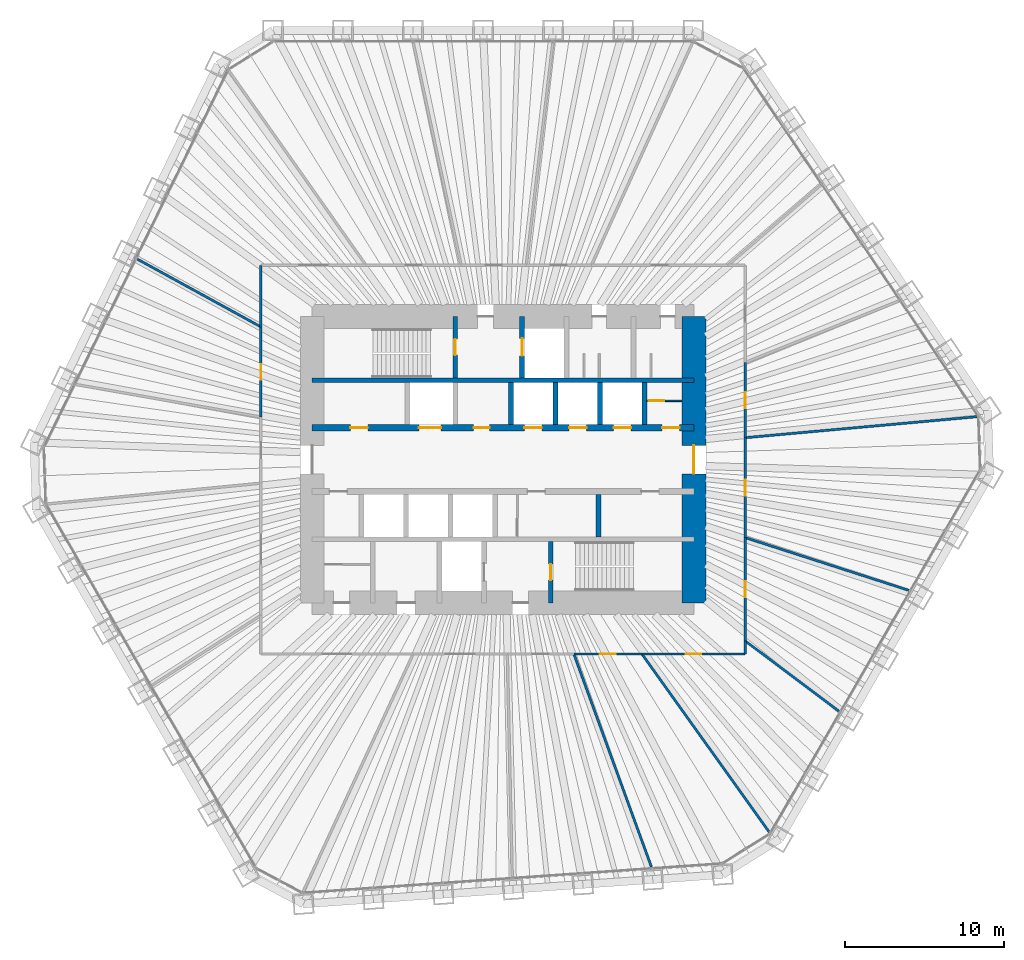
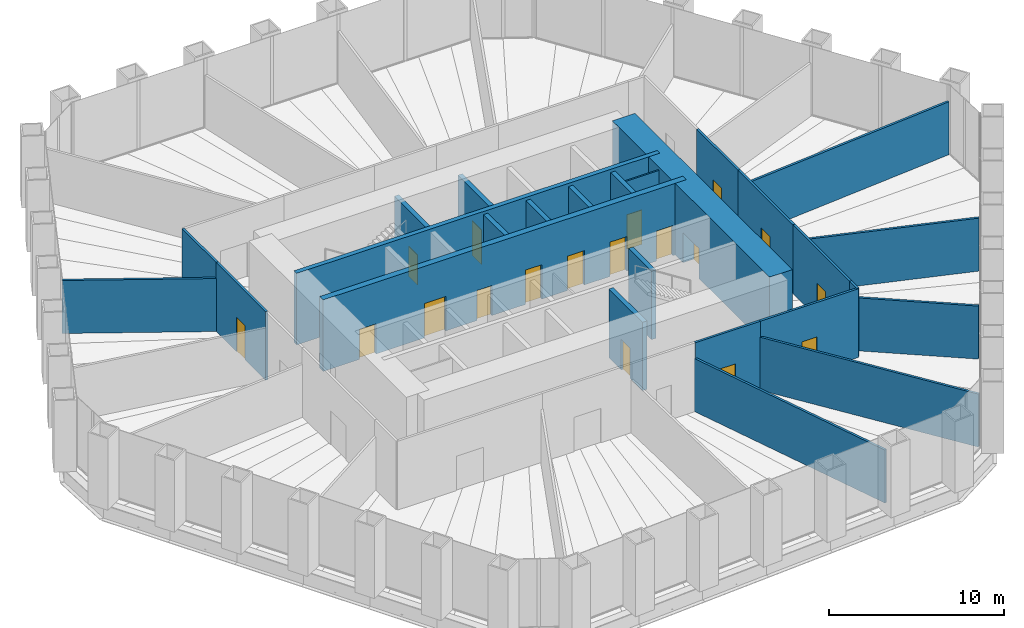
# One storey, part 11 of 13: 26 walls, 18 doors, 18 openings.
"""IFC4 building model written with IfcOpenShell, lengths in metres."""

from ifc_helpers import new_model, si_unit, direction, frame, frame_2d, origin, place, context, subcontext, project, spatial, rectangle, extrude, material, layer, layer_set, type_object, element, fill, save


model = new_model("IFC4")

# Units and contexts
model_context = context("Model", 3, precision=1e-05, world=origin(), true_north=direction((0.0, 1.0)))
body_context = subcontext(model_context, "Body", "Model", "MODEL_VIEW")
ifc_project = project(units=[si_unit("LENGTHUNIT", "METRE"), si_unit("AREAUNIT", "SQUARE_METRE"), si_unit("VOLUMEUNIT", "CUBIC_METRE"), si_unit("PLANEANGLEUNIT", "RADIAN"), si_unit("MASSUNIT", "GRAM", prefix="KILO")], contexts=[model_context])

# Site, building, storey
site_placement = place(None, origin())
site = spatial("IfcSite", under=ifc_project, at=site_placement, CompositionType="ELEMENT")
building_placement = place(site_placement, origin())
building = spatial("IfcBuilding", under=site, at=building_placement, Name="Qingtian Harvest Tower", CompositionType="ELEMENT")
storey_placement = place(building_placement, frame((0.0, 0.0, 62.0)))
storey = spatial("IfcBuildingStorey", under=building, at=storey_placement, Name="L12", CompositionType="ELEMENT", Elevation=62.0)

# Wall
ifc_material_1 = material(Name="Concrete fc' 70 MPa", Category="concrete")
ifc_layer_1 = layer(ifc_material_1, 0.300048828125)
ifc_layer_set_1 = layer_set([ifc_layer_1], Name="Core inner wall RC5 300")
wall_type_1 = type_object("IfcWallType", Name="Core inner wall RC5 300", PredefinedType="SHEAR", material=ifc_layer_set_1)
wall_1_placement = place(storey_placement, frame((-12.0, 5.0, 0.0), z_axis=(0.0, 0.0, 1.0), x_axis=(1.0, 0.0, 0.0)))
element("IfcWall", 1, at=wall_1_placement, inside=storey, type_object=wall_type_1, Name="Core wall IN5 L12", PredefinedType="SHEAR", context=body_context, shape_type="SweptSolid", body=[
    extrude(rectangle(XDim=24.0, YDim=0.300048828125, at=frame_2d((12.0, 0.0))), origin(), (0.0, 0.0, 1.0), 5.0),
])

# Wall, openings, doors
ifc_material_2 = material(Name="Concrete fc' 70 MPa", Category="concrete")
ifc_layer_2 = layer(ifc_material_2, 0.39990234375)
ifc_layer_set_2 = layer_set([ifc_layer_2], Name="Core inner web RC6 400")
wall_type_2 = type_object("IfcWallType", Name="Core inner web RC6 400", PredefinedType="SHEAR", material=ifc_layer_set_2)
wall_2_placement = place(storey_placement, frame((-12.0, 2.0, 0.0), z_axis=(0.0, 0.0, 1.0), x_axis=(1.0, 0.0, 0.0)))
wall_2 = element("IfcWall", 2, at=wall_2_placement, inside=storey, type_object=wall_type_2, Name="Core wall IN2 L12", PredefinedType="SHEAR", context=body_context, shape_type="SweptSolid", body=[
    extrude(rectangle(XDim=24.0, YDim=0.39990234375, at=frame_2d((12.0, 0.0))), origin(), (0.0, 0.0, 1.0), 5.0),
])
opening_1_placement = place(wall_2_placement, frame((2.39990234375, 0.0, 0.0)))
opening_1 = element("IfcOpeningElement", 3, at=opening_1_placement, cuts=wall_2, Name="Opening FD4", PredefinedType="OPENING", context=body_context, shape_type="SweptSolid", body=[
    extrude(rectangle(XDim=1.10009765625, YDim=2.10009765625, at=frame_2d((0.550048828125, 1.050048828125))), frame((0.0, 0.2099609375, 0.0), z_axis=(0.0, -1.0, 0.0), x_axis=(1.0, 0.0, 0.0)), (0.0, 0.0, 1.0), 0.419921875),
])
opening_2_placement = place(wall_2_placement, frame((22.0, 0.0, 0.0)))
opening_2 = element("IfcOpeningElement", 4, at=opening_2_placement, cuts=wall_2, Name="Opening FD4", PredefinedType="OPENING", context=body_context, shape_type="SweptSolid", body=[
    extrude(rectangle(XDim=1.10009765625, YDim=2.10009765625, at=frame_2d((0.550048828125, 1.050048828125))), frame((0.0, 0.2099609375, 0.0), z_axis=(0.0, -1.0, 0.0), x_axis=(1.0, 0.0, 0.0)), (0.0, 0.0, 1.0), 0.419921875),
])
opening_3_placement = place(wall_2_placement, frame((10.14990234375, 0.0, 0.0)))
opening_3 = element("IfcOpeningElement", 5, at=opening_3_placement, cuts=wall_2, Name="Opening FD1", PredefinedType="OPENING", context=body_context, shape_type="SweptSolid", body=[
    extrude(rectangle(XDim=1.0, YDim=2.10009765625, at=frame_2d((0.5, 1.050048828125))), frame((0.0, 0.2099609375, 0.0), z_axis=(0.0, -1.0, 0.0), x_axis=(1.0, 0.0, 0.0)), (0.0, 0.0, 1.0), 0.419921875),
])
opening_4_placement = place(wall_2_placement, frame((6.699951171875, 0.0, 0.0)))
opening_4 = element("IfcOpeningElement", 6, at=opening_4_placement, cuts=wall_2, Name="Opening LD2", PredefinedType="OPENING", context=body_context, shape_type="SweptSolid", body=[
    extrude(rectangle(XDim=1.39990234375, YDim=2.39990234375, at=frame_2d((0.699951171875, 1.199951171875))), frame((0.0, 0.2099609375, 0.0), z_axis=(0.0, -1.0, 0.0), x_axis=(1.0, 0.0, 0.0)), (0.0, 0.0, 1.0), 0.419921875),
])
opening_5_placement = place(wall_2_placement, frame((13.35009765625, 0.0, 0.0)))
opening_5 = element("IfcOpeningElement", 7, at=opening_5_placement, cuts=wall_2, Name="Opening LD1", PredefinedType="OPENING", context=body_context, shape_type="SweptSolid", body=[
    extrude(rectangle(XDim=1.10009765625, YDim=2.39990234375, at=frame_2d((0.550048828125, 1.199951171875))), frame((0.0, 0.2099609375, 0.0), z_axis=(0.0, -1.0, 0.0), x_axis=(1.0, 0.0, 0.0)), (0.0, 0.0, 1.0), 0.419921875),
])
opening_6_placement = place(wall_2_placement, frame((16.14990234375, 0.0, 0.0)))
opening_6 = element("IfcOpeningElement", 8, at=opening_6_placement, cuts=wall_2, Name="Opening LD1", PredefinedType="OPENING", context=body_context, shape_type="SweptSolid", body=[
    extrude(rectangle(XDim=1.10009765625, YDim=2.39990234375, at=frame_2d((0.550048828125, 1.199951171875))), frame((0.0, 0.2099609375, 0.0), z_axis=(0.0, -1.0, 0.0), x_axis=(1.0, 0.0, 0.0)), (0.0, 0.0, 1.0), 0.419921875),
])
opening_7_placement = place(wall_2_placement, frame((18.949951171875, 0.0, 0.0)))
opening_7 = element("IfcOpeningElement", 9, at=opening_7_placement, cuts=wall_2, Name="Opening LD1", PredefinedType="OPENING", context=body_context, shape_type="SweptSolid", body=[
    extrude(rectangle(XDim=1.10009765625, YDim=2.39990234375, at=frame_2d((0.550048828125, 1.199951171875))), frame((0.0, 0.2099609375, 0.0), z_axis=(0.0, -1.0, 0.0), x_axis=(1.0, 0.0, 0.0)), (0.0, 0.0, 1.0), 0.419921875),
])
ifc_material_3 = material(Name="Steel-faced door leaf", Category="steel")
door_type_1 = type_object("IfcDoorType", Name="Fire door FD1 single 1 HR", OperationType="SINGLE_SWING_LEFT", PredefinedType="DOOR", material=ifc_material_3)
door_1_placement = place(opening_3_placement, origin())
door_1 = element("IfcDoor", 10, at=door_1_placement, inside=storey, type_object=door_type_1, Name="STA door L12", OperationType="SINGLE_SWING_RIGHT", OverallHeight=2.10009765625, OverallWidth=1.0, PredefinedType="DOOR", context=body_context, shape_type="SweptSolid", body=[
    extrude(rectangle(XDim=1.0, YDim=2.10009765625, at=frame_2d((0.5, 1.050048828125))), frame((0.0, 0.02490234375, 0.0), z_axis=(0.0, -1.0, 0.0), x_axis=(1.0, 0.0, 0.0)), (0.0, 0.0, 1.0), 0.050048828125),
])
fill(opening_3, door_1)
ifc_material_4 = material(Name="Steel-faced door leaf", Category="steel")
door_type_2 = type_object("IfcDoorType", Name="Fire door FD4 single 2 HR", OperationType="SINGLE_SWING_LEFT", PredefinedType="DOOR", material=ifc_material_4)
door_2_placement = place(opening_1_placement, origin())
door_2 = element("IfcDoor", 11, at=door_2_placement, inside=storey, type_object=door_type_2, Name="RA door L12", OperationType="SINGLE_SWING_LEFT", OverallHeight=2.10009765625, OverallWidth=1.10009765625, PredefinedType="DOOR", context=body_context, shape_type="SweptSolid", body=[
    extrude(rectangle(XDim=1.10009765625, YDim=2.10009765625, at=frame_2d((0.550048828125, 1.050048828125))), frame((0.0, 0.02490234375, 0.0), z_axis=(0.0, -1.0, 0.0), x_axis=(1.0, 0.0, 0.0)), (0.0, 0.0, 1.0), 0.050048828125),
])
fill(opening_1, door_2)
door_3_placement = place(opening_2_placement, origin())
door_3 = element("IfcDoor", 12, at=door_3_placement, inside=storey, type_object=door_type_2, Name="AHU door L12", OperationType="SINGLE_SWING_LEFT", OverallHeight=2.10009765625, OverallWidth=1.10009765625, PredefinedType="DOOR", context=body_context, shape_type="SweptSolid", body=[
    extrude(rectangle(XDim=1.10009765625, YDim=2.10009765625, at=frame_2d((0.550048828125, 1.050048828125))), frame((0.0, 0.02490234375, 0.0), z_axis=(0.0, -1.0, 0.0), x_axis=(1.0, 0.0, 0.0)), (0.0, 0.0, 1.0), 0.050048828125),
])
fill(opening_2, door_3)
ifc_material_5 = material(Name="Stainless steel lift landing door", Category="steel")
door_type_3 = type_object("IfcDoorType", Name="Goods lift landing door LD2 1 HR", OperationType="DOUBLE_DOOR_SLIDING", PredefinedType="DOOR", material=ifc_material_5)
door_4_placement = place(opening_4_placement, origin())
door_4 = element("IfcDoor", 13, at=door_4_placement, inside=storey, type_object=door_type_3, Name="GL1 landing door L12", OperationType="DOUBLE_DOOR_SLIDING", OverallHeight=2.39990234375, OverallWidth=1.39990234375, PredefinedType="DOOR", context=body_context, shape_type="SweptSolid", body=[
    extrude(rectangle(XDim=1.39990234375, YDim=2.39990234375, at=frame_2d((0.699951171875, 1.199951171875))), frame((0.0, 0.02490234375, 0.0), z_axis=(0.0, -1.0, 0.0), x_axis=(1.0, 0.0, 0.0)), (0.0, 0.0, 1.0), 0.050048828125),
])
fill(opening_4, door_4)
ifc_material_6 = material(Name="Stainless steel lift landing door", Category="steel")
door_type_4 = type_object("IfcDoorType", Name="Lift landing door LD1 1 HR", OperationType="DOUBLE_DOOR_SLIDING", PredefinedType="DOOR", material=ifc_material_6)
door_5_placement = place(opening_5_placement, origin())
door_5 = element("IfcDoor", 14, at=door_5_placement, inside=storey, type_object=door_type_4, Name="PLA1 landing door L12", OperationType="DOUBLE_DOOR_SLIDING", OverallHeight=2.39990234375, OverallWidth=1.10009765625, PredefinedType="DOOR", context=body_context, shape_type="SweptSolid", body=[
    extrude(rectangle(XDim=1.10009765625, YDim=2.39990234375, at=frame_2d((0.550048828125, 1.199951171875))), frame((0.0, 0.02490234375, 0.0), z_axis=(0.0, -1.0, 0.0), x_axis=(1.0, 0.0, 0.0)), (0.0, 0.0, 1.0), 0.050048828125),
])
fill(opening_5, door_5)
door_6_placement = place(opening_6_placement, origin())
door_6 = element("IfcDoor", 15, at=door_6_placement, inside=storey, type_object=door_type_4, Name="PLA2 landing door L12", OperationType="DOUBLE_DOOR_SLIDING", OverallHeight=2.39990234375, OverallWidth=1.10009765625, PredefinedType="DOOR", context=body_context, shape_type="SweptSolid", body=[
    extrude(rectangle(XDim=1.10009765625, YDim=2.39990234375, at=frame_2d((0.550048828125, 1.199951171875))), frame((0.0, 0.02490234375, 0.0), z_axis=(0.0, -1.0, 0.0), x_axis=(1.0, 0.0, 0.0)), (0.0, 0.0, 1.0), 0.050048828125),
])
fill(opening_6, door_6)
door_7_placement = place(opening_7_placement, origin())
door_7 = element("IfcDoor", 16, at=door_7_placement, inside=storey, type_object=door_type_4, Name="PLA3 landing door L12", OperationType="DOUBLE_DOOR_SLIDING", OverallHeight=2.39990234375, OverallWidth=1.10009765625, PredefinedType="DOOR", context=body_context, shape_type="SweptSolid", body=[
    extrude(rectangle(XDim=1.10009765625, YDim=2.39990234375, at=frame_2d((0.550048828125, 1.199951171875))), frame((0.0, 0.02490234375, 0.0), z_axis=(0.0, -1.0, 0.0), x_axis=(1.0, 0.0, 0.0)), (0.0, 0.0, 1.0), 0.050048828125),
])
fill(opening_7, door_7)

# Wall, opening, door
ifc_material_7 = material(Name="Precast concrete shaft panel", Category="concrete")
ifc_layer_3 = layer(ifc_material_7, 0.300048828125)
ifc_layer_set_3 = layer_set([ifc_layer_3], Name="Core shaft partition SW1 300")
wall_type_3 = type_object("IfcWallType", Name="Core shaft partition SW1 300", PredefinedType="PARTITIONING", material=ifc_layer_set_3)
wall_3_placement = place(storey_placement, frame((-3.0, 5.14990234375, 0.0), z_axis=(0.0, 0.0, 1.0), x_axis=(0.0, 1.0, 0.0)))
wall_3 = element("IfcWall", 17, at=wall_3_placement, inside=storey, type_object=wall_type_3, Name="Core shaft partition XN1 L12", PredefinedType="PARTITIONING", context=body_context, shape_type="SweptSolid", body=[
    extrude(rectangle(XDim=3.85009765625, YDim=0.300048828125, at=frame_2d((1.925048828125, 0.0))), origin(), (0.0, 0.0, 1.0), 4.780029296875),
])
opening_8_placement = place(wall_3_placement, frame((1.425048828125, 0.0, 0.0)))
opening_8 = element("IfcOpeningElement", 18, at=opening_8_placement, cuts=wall_3, Name="Opening FD1", PredefinedType="OPENING", context=body_context, shape_type="SweptSolid", body=[
    extrude(rectangle(XDim=1.0, YDim=2.10009765625, at=frame_2d((0.5, 1.050048828125))), frame((0.0, 0.159912109375, 0.0), z_axis=(0.0, -1.0, 0.0), x_axis=(1.0, 0.0, 0.0)), (0.0, 0.0, 1.0), 0.320068359375),
])
door_8_placement = place(opening_8_placement, origin())
door_8 = element("IfcDoor", 19, at=door_8_placement, inside=storey, type_object=door_type_1, Name="S1 door L12", OperationType="SINGLE_SWING_LEFT", OverallHeight=2.10009765625, OverallWidth=1.0, PredefinedType="DOOR", context=body_context, shape_type="SweptSolid", body=[
    extrude(rectangle(XDim=1.0, YDim=2.10009765625, at=frame_2d((0.5, 1.050048828125))), frame((0.0, 0.02490234375, 0.0), z_axis=(0.0, -1.0, 0.0), x_axis=(1.0, 0.0, 0.0)), (0.0, 0.0, 1.0), 0.050048828125),
])
fill(opening_8, door_8)

wall_4_placement = place(storey_placement, frame((1.199951171875, 5.14990234375, 0.0), z_axis=(0.0, 0.0, 1.0), x_axis=(0.0, 1.0, 0.0)))
wall_4 = element("IfcWall", 20, at=wall_4_placement, inside=storey, type_object=wall_type_3, Name="Core shaft partition XN2 L12", PredefinedType="PARTITIONING", context=body_context, shape_type="SweptSolid", body=[
    extrude(rectangle(XDim=3.85009765625, YDim=0.300048828125, at=frame_2d((1.925048828125, 0.0))), origin(), (0.0, 0.0, 1.0), 4.780029296875),
])
opening_9_placement = place(wall_4_placement, frame((1.375, 0.0, 0.0)))
opening_9 = element("IfcOpeningElement", 21, at=opening_9_placement, cuts=wall_4, Name="Opening LD1", PredefinedType="OPENING", context=body_context, shape_type="SweptSolid", body=[
    extrude(rectangle(XDim=1.10009765625, YDim=2.39990234375, at=frame_2d((0.550048828125, 1.199951171875))), frame((0.0, 0.159912109375, 0.0), z_axis=(0.0, -1.0, 0.0), x_axis=(1.0, 0.0, 0.0)), (0.0, 0.0, 1.0), 0.320068359375),
])
door_9_placement = place(opening_9_placement, origin())
door_9 = element("IfcDoor", 22, at=door_9_placement, inside=storey, type_object=door_type_4, Name="FL1 landing door L12", OperationType="DOUBLE_DOOR_SLIDING", OverallHeight=2.39990234375, OverallWidth=1.10009765625, PredefinedType="DOOR", context=body_context, shape_type="SweptSolid", body=[
    extrude(rectangle(XDim=1.10009765625, YDim=2.39990234375, at=frame_2d((0.550048828125, 1.199951171875))), frame((0.0, 0.02490234375, 0.0), z_axis=(0.0, -1.0, 0.0), x_axis=(1.0, 0.0, 0.0)), (0.0, 0.0, 1.0), 0.050048828125),
])
fill(opening_9, door_9)

# Walls
for number, where, z_axis, x_axis, name in (
    (23, (0.5, 2.199951171875, 0.0), (0.0, 0.0, 1.0), (0.0, 1.0, 0.0), "Core shaft partition XA3 L12"),
    (24, (3.300048828125, 2.199951171875, 0.0), (0.0, 0.0, 1.0), (0.0, 1.0, 0.0), "Core shaft partition XA4 L12"),
    (25, (6.10009765625, 2.199951171875, 0.0), (0.0, 0.0, 1.0), (0.0, 1.0, 0.0), "Core shaft partition XA5 L12"),
    (26, (8.89990234375, 2.199951171875, 0.0), (0.0, 0.0, 1.0), (0.0, 1.0, 0.0), "Core shaft partition XA6 L12"),
    (27, (6.0, -4.85009765625, 0.0), (0.0, 0.0, 1.0), (0.0, 1.0, 0.0), "Core shaft partition XB5 L12"),
):
    element("IfcWall", number, at=place(storey_placement, frame(where, z_axis=z_axis, x_axis=x_axis)), inside=storey, type_object=wall_type_3, Name=name, PredefinedType="PARTITIONING", context=body_context, shape_type="SweptSolid", body=[
        extrude(rectangle(XDim=2.650146484375, YDim=0.300048828125, at=frame_2d((1.3251953125, 0.0))), origin(), (0.0, 0.0, 1.0), 4.780029296875),
    ])

# Wall, opening, door
wall_5_placement = place(storey_placement, frame((3.0, -9.0, 0.0), z_axis=(0.0, 0.0, 1.0), x_axis=(0.0, 1.0, 0.0)))
wall_5 = element("IfcWall", 28, at=wall_5_placement, inside=storey, type_object=wall_type_3, Name="Core shaft partition XS4 L12", PredefinedType="PARTITIONING", context=body_context, shape_type="SweptSolid", body=[
    extrude(rectangle(XDim=3.85009765625, YDim=0.300048828125, at=frame_2d((1.925048828125, 0.0))), origin(), (0.0, 0.0, 1.0), 4.780029296875),
])
opening_10_placement = place(wall_5_placement, frame((1.425048828125, 0.0, 0.0)))
opening_10 = element("IfcOpeningElement", 29, at=opening_10_placement, cuts=wall_5, Name="Opening FD1", PredefinedType="OPENING", context=body_context, shape_type="SweptSolid", body=[
    extrude(rectangle(XDim=1.0, YDim=2.10009765625, at=frame_2d((0.5, 1.050048828125))), frame((0.0, 0.159912109375, 0.0), z_axis=(0.0, -1.0, 0.0), x_axis=(1.0, 0.0, 0.0)), (0.0, 0.0, 1.0), 0.320068359375),
])
door_10_placement = place(opening_10_placement, origin())
door_10 = element("IfcDoor", 30, at=door_10_placement, inside=storey, type_object=door_type_1, Name="S2 door L12", OperationType="SINGLE_SWING_RIGHT", OverallHeight=2.10009765625, OverallWidth=1.0, PredefinedType="DOOR", context=body_context, shape_type="SweptSolid", body=[
    extrude(rectangle(XDim=1.0, YDim=2.10009765625, at=frame_2d((0.5, 1.050048828125))), frame((0.0, 0.02490234375, 0.0), z_axis=(0.0, -1.0, 0.0), x_axis=(1.0, 0.0, 0.0)), (0.0, 0.0, 1.0), 0.050048828125),
])
fill(opening_10, door_10)

ifc_material_8 = material(Name="Concrete fc' 70 MPa", Category="concrete")
ifc_layer_4 = layer(ifc_material_8, 1.5)
ifc_layer_set_4 = layer_set([ifc_layer_4], Name="Core wall RC1 1500")
wall_type_4 = type_object("IfcWallType", Name="Core wall RC1 1500", PredefinedType="SHEAR", material=ifc_layer_set_4)
wall_6_placement = place(storey_placement, frame((12.0, -9.0, 0.0), z_axis=(0.0, 0.0, 1.0), x_axis=(0.0, 1.0, 0.0)))
wall_6 = element("IfcWall", 31, at=wall_6_placement, inside=storey, type_object=wall_type_4, Name="Core wall CE L12", PredefinedType="SHEAR", context=body_context, shape_type="SweptSolid", body=[
    extrude(rectangle(XDim=18.0, YDim=1.5, at=frame_2d((9.0, 0.0))), origin(), (0.0, 0.0, 1.0), 5.0),
])
opening_11_placement = place(wall_6_placement, frame((8.10009765625, 0.0, 0.0)))
opening_11 = element("IfcOpeningElement", 32, at=opening_11_placement, cuts=wall_6, Name="Opening FD2", PredefinedType="OPENING", context=body_context, shape_type="SweptSolid", body=[
    extrude(rectangle(XDim=1.800048828125, YDim=2.10009765625, at=frame_2d((0.89990234375, 1.050048828125))), frame((0.0, 0.760009765625, 0.0), z_axis=(0.0, -1.0, 0.0), x_axis=(1.0, 0.0, 0.0)), (0.0, 0.0, 1.0), 1.52001953125),
])
ifc_material_9 = material(Name="Steel-faced door leaf", Category="steel")
door_type_5 = type_object("IfcDoorType", Name="Fire door FD2 double 1 HR", OperationType="DOUBLE_DOOR_DOUBLE_SWING", PredefinedType="DOOR", material=ifc_material_9)
door_11_placement = place(opening_11_placement, origin())
door_11 = element("IfcDoor", 33, at=door_11_placement, inside=storey, type_object=door_type_5, Name="LOBBY-E door L12", OperationType="DOUBLE_DOOR_DOUBLE_SWING", OverallHeight=2.10009765625, OverallWidth=1.800048828125, PredefinedType="DOOR", context=body_context, shape_type="SweptSolid", body=[
    extrude(rectangle(XDim=1.800048828125, YDim=2.10009765625, at=frame_2d((0.89990234375, 1.050048828125))), frame((0.0, 0.02490234375, 0.0), z_axis=(0.0, -1.0, 0.0), x_axis=(1.0, 0.0, 0.0)), (0.0, 0.0, 1.0), 0.050048828125),
])
fill(opening_11, door_11)

ifc_material_10 = material(Name="Gypsum board on steel studs", Category="steel")
ifc_layer_5 = layer(ifc_material_10, 0.14990234375)
ifc_layer_set_5 = layer_set([ifc_layer_5], Name="Partition PT1 150")
wall_type_5 = type_object("IfcWallType", Name="Partition PT1 150", PredefinedType="PARTITIONING", material=ifc_layer_set_5)
wall_7_placement = place(storey_placement, frame((15.22509765625, 6.10498046875, 0.0), z_axis=(0.0, 0.0, 1.0), x_axis=(0.0, -1.0, 0.0)))
wall_7 = element("IfcWall", 34, at=wall_7_placement, inside=storey, type_object=wall_type_5, Name="Mushroom growing room wall L12", PredefinedType="PARTITIONING", context=body_context, shape_type="SweptSolid", body=[
    extrude(rectangle(XDim=4.72509765625, YDim=0.14990234375, at=frame_2d((2.362548828125, 0.0))), origin(), (0.0, 0.0, 1.0), 4.800048828125),
])
opening_12_placement = place(wall_7_placement, frame((1.862548828125, 0.0, 0.0)))
opening_12 = element("IfcOpeningElement", 35, at=opening_12_placement, cuts=wall_7, Name="Opening D2", PredefinedType="OPENING", context=body_context, shape_type="SweptSolid", body=[
    extrude(rectangle(XDim=1.0, YDim=2.39990234375, at=frame_2d((0.5, 1.199951171875))), frame((0.0, 0.0849609375, 0.0), z_axis=(0.0, -1.0, 0.0), x_axis=(1.0, 0.0, 0.0)), (0.0, 0.0, 1.0), 0.169921875),
])
ifc_material_11 = material(Name="Laminated timber door leaf", Category="wood")
door_type_6 = type_object("IfcDoorType", Name="Room door D2 single", OperationType="SINGLE_SWING_LEFT", PredefinedType="DOOR", material=ifc_material_11)
door_12_placement = place(opening_12_placement, origin())
door_12 = element("IfcDoor", 36, at=door_12_placement, inside=storey, type_object=door_type_6, Name="Mushroom growing room door L12", OperationType="SINGLE_SWING_LEFT", OverallHeight=2.39990234375, OverallWidth=1.0, PredefinedType="DOOR", context=body_context, shape_type="SweptSolid", body=[
    extrude(rectangle(XDim=1.0, YDim=2.39990234375, at=frame_2d((0.5, 1.199951171875))), frame((0.0, 0.02490234375, 0.0), z_axis=(0.0, -1.0, 0.0), x_axis=(1.0, 0.0, 0.0)), (0.0, 0.0, 1.0), 0.050048828125),
])
fill(opening_12, door_12)

# Wall
wall_8_placement = place(storey_placement, frame((29.79638671875, 2.700439453125, 0.0), z_axis=(0.0, 0.0, 1.0), x_axis=(-0.995918470907, -0.090257405823, 0.0)))
element("IfcWall", 37, at=wall_8_placement, inside=storey, type_object=wall_type_5, Name="Spawn room wall L12", PredefinedType="PARTITIONING", context=body_context, shape_type="SweptSolid", body=[
    extrude(rectangle(XDim=14.631103515625, YDim=0.14990234375, at=frame_2d((7.3154296875, 0.0))), origin(), (0.0, 0.0, 1.0), 3.699951171875),
])

# Wall, opening, door
wall_9_placement = place(storey_placement, frame((15.22509765625, 1.3798828125, 0.0), z_axis=(0.0, 0.0, 1.0), x_axis=(0.0, -1.0, 0.0)))
wall_9 = element("IfcWall", 38, at=wall_9_placement, inside=storey, type_object=wall_type_5, Name="Spawn room wall L12", PredefinedType="PARTITIONING", context=body_context, shape_type="SweptSolid", body=[
    extrude(rectangle(XDim=6.28271484375, YDim=0.14990234375, at=frame_2d((3.141357421875, 0.0))), origin(), (0.0, 0.0, 1.0), 4.800048828125),
])
opening_13_placement = place(wall_9_placement, frame((2.641357421875, 0.0, 0.0)))
opening_13 = element("IfcOpeningElement", 39, at=opening_13_placement, cuts=wall_9, Name="Opening D2", PredefinedType="OPENING", context=body_context, shape_type="SweptSolid", body=[
    extrude(rectangle(XDim=1.0, YDim=2.39990234375, at=frame_2d((0.5, 1.199951171875))), frame((0.0, 0.0849609375, 0.0), z_axis=(0.0, -1.0, 0.0), x_axis=(1.0, 0.0, 0.0)), (0.0, 0.0, 1.0), 0.169921875),
])
door_13_placement = place(opening_13_placement, origin())
door_13 = element("IfcDoor", 40, at=door_13_placement, inside=storey, type_object=door_type_6, Name="Spawn room door L12", OperationType="SINGLE_SWING_LEFT", OverallHeight=2.39990234375, OverallWidth=1.0, PredefinedType="DOOR", context=body_context, shape_type="SweptSolid", body=[
    extrude(rectangle(XDim=1.0, YDim=2.39990234375, at=frame_2d((0.5, 1.199951171875))), frame((0.0, 0.02490234375, 0.0), z_axis=(0.0, -1.0, 0.0), x_axis=(1.0, 0.0, 0.0)), (0.0, 0.0, 1.0), 0.050048828125),
])
fill(opening_13, door_13)

# Wall
wall_10_placement = place(storey_placement, frame((25.512451171875, -8.215576171875, 0.0), z_axis=(0.0, 0.0, 1.0), x_axis=(-0.95186413264, 0.306520265225, 0.0)))
element("IfcWall", 41, at=wall_10_placement, inside=storey, type_object=wall_type_5, Name="Mushroom growing room wall L12", PredefinedType="PARTITIONING", context=body_context, shape_type="SweptSolid", body=[
    extrude(rectangle(XDim=10.8076171875, YDim=0.14990234375, at=frame_2d((5.40380859375, 0.0))), origin(), (0.0, 0.0, 1.0), 3.699951171875),
])

# Wall, opening, door
wall_11_placement = place(storey_placement, frame((15.22509765625, -4.90283203125, 0.0), z_axis=(0.0, 0.0, 1.0), x_axis=(0.0, -1.0, 0.0)))
wall_11 = element("IfcWall", 42, at=wall_11_placement, inside=storey, type_object=wall_type_5, Name="Mushroom growing room wall L12", PredefinedType="PARTITIONING", context=body_context, shape_type="SweptSolid", body=[
    extrude(rectangle(XDim=6.49658203125, YDim=0.14990234375, at=frame_2d((3.248291015625, 0.0))), origin(), (0.0, 0.0, 1.0), 4.800048828125),
])
opening_14_placement = place(wall_11_placement, frame((2.748291015625, 0.0, 0.0)))
opening_14 = element("IfcOpeningElement", 43, at=opening_14_placement, cuts=wall_11, Name="Opening D2", PredefinedType="OPENING", context=body_context, shape_type="SweptSolid", body=[
    extrude(rectangle(XDim=1.0, YDim=2.39990234375, at=frame_2d((0.5, 1.199951171875))), frame((0.0, 0.0849609375, 0.0), z_axis=(0.0, -1.0, 0.0), x_axis=(1.0, 0.0, 0.0)), (0.0, 0.0, 1.0), 0.169921875),
])
door_14_placement = place(opening_14_placement, origin())
door_14 = element("IfcDoor", 44, at=door_14_placement, inside=storey, type_object=door_type_6, Name="Mushroom growing room door L12", OperationType="SINGLE_SWING_LEFT", OverallHeight=2.39990234375, OverallWidth=1.0, PredefinedType="DOOR", context=body_context, shape_type="SweptSolid", body=[
    extrude(rectangle(XDim=1.0, YDim=2.39990234375, at=frame_2d((0.5, 1.199951171875))), frame((0.0, 0.02490234375, 0.0), z_axis=(0.0, -1.0, 0.0), x_axis=(1.0, 0.0, 0.0)), (0.0, 0.0, 1.0), 0.050048828125),
])
fill(opening_14, door_14)

# Walls
wall_12_placement = place(storey_placement, frame((21.123046875, -15.8154296875, 0.0), z_axis=(0.0, 0.0, 1.0), x_axis=(-0.800484840692, 0.599353001012, 0.0)))
element("IfcWall", 45, at=wall_12_placement, inside=storey, type_object=wall_type_5, Name="Mushroom growing room wall L12", PredefinedType="PARTITIONING", context=body_context, shape_type="SweptSolid", body=[
    extrude(rectangle(XDim=7.367919921875, YDim=0.14990234375, at=frame_2d((3.68408203125, 0.0))), origin(), (0.0, 0.0, 1.0), 3.699951171875),
])
wall_13_placement = place(storey_placement, frame((15.22509765625, -11.3994140625, 0.0), z_axis=(0.0, 0.0, 1.0), x_axis=(0.0, -1.0, 0.0)))
element("IfcWall", 46, at=wall_13_placement, inside=storey, type_object=wall_type_5, Name="Mushroom growing room wall L12", PredefinedType="PARTITIONING", context=body_context, shape_type="SweptSolid", body=[
    extrude(rectangle(XDim=0.82568359375, YDim=0.14990234375, at=frame_2d((0.412841796875, 0.0))), origin(), (0.0, 0.0, 1.0), 4.800048828125),
])

# Wall, opening, door
wall_14_placement = place(storey_placement, frame((15.22509765625, -12.22509765625, 0.0), z_axis=(0.0, 0.0, 1.0), x_axis=(-1.0, 0.0, 0.0)))
wall_14 = element("IfcWall", 47, at=wall_14_placement, inside=storey, type_object=wall_type_5, Name="Mushroom growing room wall L12", PredefinedType="PARTITIONING", context=body_context, shape_type="SweptSolid", body=[
    extrude(rectangle(XDim=6.488037109375, YDim=0.14990234375, at=frame_2d((3.244140625, 0.0))), origin(), (0.0, 0.0, 1.0), 4.800048828125),
])
opening_15_placement = place(wall_14_placement, frame((2.743896484375, 0.0, 0.0)))
opening_15 = element("IfcOpeningElement", 48, at=opening_15_placement, cuts=wall_14, Name="Opening D2", PredefinedType="OPENING", context=body_context, shape_type="SweptSolid", body=[
    extrude(rectangle(XDim=1.0, YDim=2.39990234375, at=frame_2d((0.5, 1.199951171875))), frame((0.0, 0.0849609375, 0.0), z_axis=(0.0, -1.0, 0.0), x_axis=(1.0, 0.0, 0.0)), (0.0, 0.0, 1.0), 0.169921875),
])
door_15_placement = place(opening_15_placement, origin())
door_15 = element("IfcDoor", 49, at=door_15_placement, inside=storey, type_object=door_type_6, Name="Mushroom growing room door L12", OperationType="SINGLE_SWING_RIGHT", OverallHeight=2.39990234375, OverallWidth=1.0, PredefinedType="DOOR", context=body_context, shape_type="SweptSolid", body=[
    extrude(rectangle(XDim=1.0, YDim=2.39990234375, at=frame_2d((0.5, 1.199951171875))), frame((0.0, 0.02490234375, 0.0), z_axis=(0.0, -1.0, 0.0), x_axis=(1.0, 0.0, 0.0)), (0.0, 0.0, 1.0), 0.050048828125),
])
fill(opening_15, door_15)

# Wall
wall_15_placement = place(storey_placement, frame((16.740234375, -23.423095703125, 0.0), z_axis=(0.0, 0.0, 1.0), x_axis=(-0.581459653783, 0.813575239927, 0.0)))
element("IfcWall", 50, at=wall_15_placement, inside=storey, type_object=wall_type_5, Name="Nutrient dosing room wall L12", PredefinedType="PARTITIONING", context=body_context, shape_type="SweptSolid", body=[
    extrude(rectangle(XDim=13.763916015625, YDim=0.14990234375, at=frame_2d((6.8818359375, 0.0))), origin(), (0.0, 0.0, 1.0), 3.699951171875),
])

# Wall, opening, door
wall_16_placement = place(storey_placement, frame((8.737060546875, -12.22509765625, 0.0), z_axis=(0.0, 0.0, 1.0), x_axis=(-1.0, 0.0, 0.0)))
wall_16 = element("IfcWall", 51, at=wall_16_placement, inside=storey, type_object=wall_type_5, Name="Nutrient dosing room wall L12", PredefinedType="PARTITIONING", context=body_context, shape_type="SweptSolid", body=[
    extrude(rectangle(XDim=4.282470703125, YDim=0.14990234375, at=frame_2d((2.14111328125, 0.0))), origin(), (0.0, 0.0, 1.0), 4.800048828125),
])
opening_16_placement = place(wall_16_placement, frame((1.641357421875, 0.0, 0.0)))
opening_16 = element("IfcOpeningElement", 52, at=opening_16_placement, cuts=wall_16, Name="Opening D2", PredefinedType="OPENING", context=body_context, shape_type="SweptSolid", body=[
    extrude(rectangle(XDim=1.0, YDim=2.39990234375, at=frame_2d((0.5, 1.199951171875))), frame((0.0, 0.0849609375, 0.0), z_axis=(0.0, -1.0, 0.0), x_axis=(1.0, 0.0, 0.0)), (0.0, 0.0, 1.0), 0.169921875),
])
door_16_placement = place(opening_16_placement, origin())
door_16 = element("IfcDoor", 53, at=door_16_placement, inside=storey, type_object=door_type_6, Name="Nutrient dosing room door L12", OperationType="SINGLE_SWING_RIGHT", OverallHeight=2.39990234375, OverallWidth=1.0, PredefinedType="DOOR", context=body_context, shape_type="SweptSolid", body=[
    extrude(rectangle(XDim=1.0, YDim=2.39990234375, at=frame_2d((0.5, 1.199951171875))), frame((0.0, 0.02490234375, 0.0), z_axis=(0.0, -1.0, 0.0), x_axis=(1.0, 0.0, 0.0)), (0.0, 0.0, 1.0), 0.050048828125),
])
fill(opening_16, door_16)

# Wall
wall_17_placement = place(storey_placement, frame((9.33349609375, -25.615234375, 0.0), z_axis=(0.0, 0.0, 1.0), x_axis=(-0.342348208267, 0.939573150051, 0.0)))
element("IfcWall", 54, at=wall_17_placement, inside=storey, type_object=wall_type_5, Name="Mushroom growing room wall L12", PredefinedType="PARTITIONING", context=body_context, shape_type="SweptSolid", body=[
    extrude(rectangle(XDim=14.251220703125, YDim=0.14990234375, at=frame_2d((7.12548828125, 0.0))), origin(), (0.0, 0.0, 1.0), 3.699951171875),
])

# Wall, opening, door
wall_18_placement = place(storey_placement, frame((-15.22509765625, 2.678955078125, 0.0), z_axis=(0.0, 0.0, 1.0), x_axis=(0.0, 1.0, 0.0)))
wall_18 = element("IfcWall", 55, at=wall_18_placement, inside=storey, type_object=wall_type_5, Name="Harvest wash room wall L12", PredefinedType="PARTITIONING", context=body_context, shape_type="SweptSolid", body=[
    extrude(rectangle(XDim=5.66943359375, YDim=0.14990234375, at=frame_2d((2.834716796875, 0.0))), origin(), (0.0, 0.0, 1.0), 4.800048828125),
])
opening_17_placement = place(wall_18_placement, frame((2.334716796875, 0.0, 0.0)))
opening_17 = element("IfcOpeningElement", 56, at=opening_17_placement, cuts=wall_18, Name="Opening D2", PredefinedType="OPENING", context=body_context, shape_type="SweptSolid", body=[
    extrude(rectangle(XDim=1.0, YDim=2.39990234375, at=frame_2d((0.5, 1.199951171875))), frame((0.0, 0.0849609375, 0.0), z_axis=(0.0, -1.0, 0.0), x_axis=(1.0, 0.0, 0.0)), (0.0, 0.0, 1.0), 0.169921875),
])
door_17_placement = place(opening_17_placement, origin())
door_17 = element("IfcDoor", 57, at=door_17_placement, inside=storey, type_object=door_type_6, Name="Harvest wash room door L12", OperationType="SINGLE_SWING_LEFT", OverallHeight=2.39990234375, OverallWidth=1.0, PredefinedType="DOOR", context=body_context, shape_type="SweptSolid", body=[
    extrude(rectangle(XDim=1.0, YDim=2.39990234375, at=frame_2d((0.5, 1.199951171875))), frame((0.0, 0.02490234375, 0.0), z_axis=(0.0, -1.0, 0.0), x_axis=(1.0, 0.0, 0.0)), (0.0, 0.0, 1.0), 0.050048828125),
])
fill(opening_17, door_17)

# Walls
wall_19_placement = place(storey_placement, frame((-22.999267578125, 12.611572265625, 0.0), z_axis=(0.0, 0.0, 1.0), x_axis=(0.876815779006, -0.480826465251, 0.0)))
element("IfcWall", 58, at=wall_19_placement, inside=storey, type_object=wall_type_5, Name="Mushroom growing room wall L12", PredefinedType="PARTITIONING", context=body_context, shape_type="SweptSolid", body=[
    extrude(rectangle(XDim=8.866455078125, YDim=0.14990234375, at=frame_2d((4.43310546875, 0.0))), origin(), (0.0, 0.0, 1.0), 3.699951171875),
])
wall_20_placement = place(storey_placement, frame((-15.22509765625, 8.348388671875, 0.0), z_axis=(0.0, 0.0, 1.0), x_axis=(0.0, 1.0, 0.0)))
element("IfcWall", 59, at=wall_20_placement, inside=storey, type_object=wall_type_5, Name="Mushroom growing room wall L12", PredefinedType="PARTITIONING", context=body_context, shape_type="SweptSolid", body=[
    extrude(rectangle(XDim=3.876708984375, YDim=0.14990234375, at=frame_2d((1.9384765625, 0.0))), origin(), (0.0, 0.0, 1.0), 4.800048828125),
])

# Wall, opening, door
ifc_material_12 = material(Name="Concrete block partition", Category="concrete")
ifc_layer_6 = layer(ifc_material_12, 0.10009765625)
ifc_layer_set_6 = layer_set([ifc_layer_6], Name="Store partition PT3 100")
wall_type_6 = type_object("IfcWallType", Name="Store partition PT3 100", PredefinedType="PARTITIONING", material=ifc_layer_set_6)
wall_21_placement = place(storey_placement, frame((9.050048828125, 3.699951171875, 0.0), z_axis=(0.0, 0.0, 1.0), x_axis=(1.0, 0.0, 0.0)))
wall_21 = element("IfcWall", 60, at=wall_21_placement, inside=storey, type_object=wall_type_6, Name="Filter plant room wall L12", PredefinedType="PARTITIONING", context=body_context, shape_type="SweptSolid", body=[
    extrude(rectangle(XDim=2.199951171875, YDim=0.10009765625, at=frame_2d((1.10009765625, 0.0))), origin(), (0.0, 0.0, 1.0), 4.780029296875),
])
opening_18_placement = place(wall_21_placement, frame((0.10009765625, 0.0, 0.0)))
opening_18 = element("IfcOpeningElement", 61, at=opening_18_placement, cuts=wall_21, Name="Opening D2", PredefinedType="OPENING", context=body_context, shape_type="SweptSolid", body=[
    extrude(rectangle(XDim=1.0, YDim=2.39990234375, at=frame_2d((0.5, 1.199951171875))), frame((0.0, 0.06005859375, 0.0), z_axis=(0.0, -1.0, 0.0), x_axis=(1.0, 0.0, 0.0)), (0.0, 0.0, 1.0), 0.1201171875),
])
door_18_placement = place(opening_18_placement, origin())
door_18 = element("IfcDoor", 62, at=door_18_placement, inside=storey, type_object=door_type_6, Name="Filter plant room door L12", OperationType="SINGLE_SWING_RIGHT", OverallHeight=2.39990234375, OverallWidth=1.0, PredefinedType="DOOR", context=body_context, shape_type="SweptSolid", body=[
    extrude(rectangle(XDim=1.0, YDim=2.39990234375, at=frame_2d((0.5, 1.199951171875))), frame((0.0, 0.02490234375, 0.0), z_axis=(0.0, -1.0, 0.0), x_axis=(1.0, 0.0, 0.0)), (0.0, 0.0, 1.0), 0.050048828125),
])
fill(opening_18, door_18)

save(model, "model.ifc")
